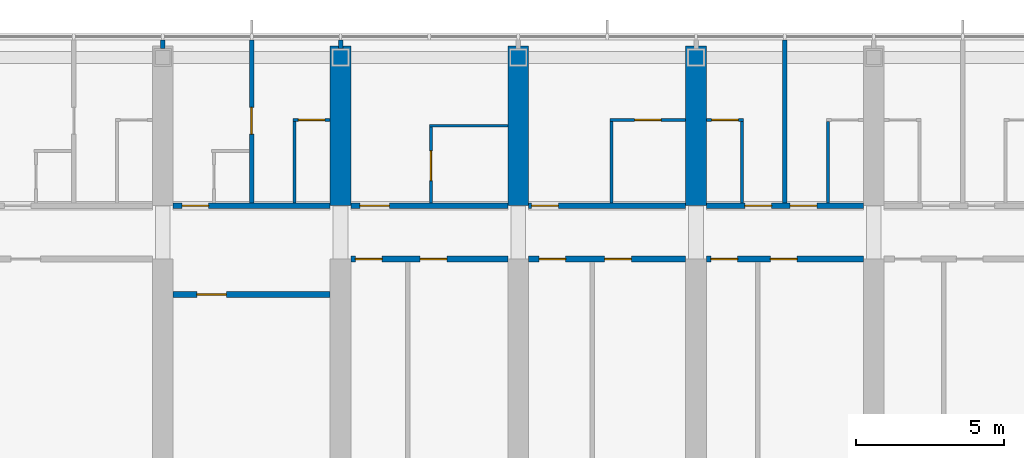
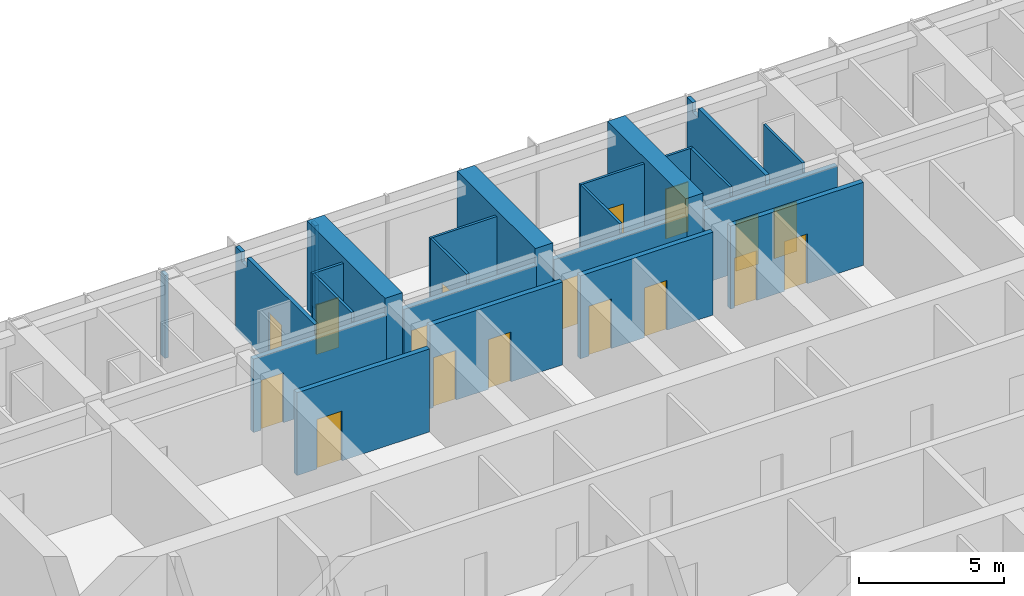
# One storey, part 17 of 24: 24 walls, 17 doors, 17 openings.
"""IFC4 building model written with IfcOpenShell, lengths in metres."""

from ifc_helpers import new_model, si_unit, direction, frame, frame_2d, origin, place, context, subcontext, project, spatial, polyline, rectangle, outline, extrude, material, layer, layer_set, type_object, element, fill, save


model = new_model("IFC4")

# Units and contexts
model_context = context("Model", 3, precision=1e-05, world=origin(), true_north=direction((0.0, 1.0)))
body_context = subcontext(model_context, "Body", "Model", "MODEL_VIEW")
ifc_project = project(units=[si_unit("LENGTHUNIT", "METRE"), si_unit("AREAUNIT", "SQUARE_METRE"), si_unit("VOLUMEUNIT", "CUBIC_METRE"), si_unit("PLANEANGLEUNIT", "RADIAN"), si_unit("MASSUNIT", "GRAM", prefix="KILO")], contexts=[model_context])

# Site, building, storey
site_placement = place(None, origin())
site = spatial("IfcSite", under=ifc_project, at=site_placement, CompositionType="ELEMENT")
building_placement = place(site_placement, origin())
building = spatial("IfcBuilding", under=site, at=building_placement, Name="Orbita Commons", CompositionType="ELEMENT")
storey_placement = place(building_placement, frame((0.0, 0.0, 235.300048828125)))
storey = spatial("IfcBuildingStorey", under=building, at=storey_placement, Name="L58", CompositionType="ELEMENT", Elevation=235.300048828125)

# Wall, opening, door
ifc_material_1 = material(Name="Concrete blockwork", Category="masonry")
ifc_layer_1 = layer(ifc_material_1, 0.199951171875)
ifc_layer_set_1 = layer_set([ifc_layer_1], Name="Concrete blockwork")
wall_type_1 = type_object("IfcWallType", Name="Corridor wall 200 blockwork", PredefinedType="SOLIDWALL", material=ifc_layer_set_1)
wall_1_placement = place(storey_placement, frame((30.35009765625, 47.39990234375, 0.0), z_axis=(0.0, 0.0, 1.0), x_axis=(1.0, 0.0, 0.0)))
wall_1 = element("IfcWall", 1, at=wall_1_placement, inside=storey, type_object=wall_type_1, Name="Corridor wall 200 blockwork L58", PredefinedType="SOLIDWALL", context=body_context, shape_type="SweptSolid", body=[
    extrude(outline(polyline([(0.0, 0.0), (5.2998046875, 0.0), (5.300048828125, 3.099853515625), (0.0, 3.099853515625), (0.0, 0.0)])), frame((0.0, 0.10009765625, 0.0), z_axis=(0.0, -1.0, 0.0), x_axis=(1.0, 0.0, 0.0)), (0.0, 0.0, 1.0), 0.199951171875),
])
opening_1_placement = place(wall_1_placement, frame((0.300048828125, 0.0, 0.0)))
opening_1 = element("IfcOpeningElement", 2, at=opening_1_placement, cuts=wall_1, Name="Opening D11", PredefinedType="OPENING", context=body_context, shape_type="SweptSolid", body=[
    extrude(rectangle(XDim=0.89990234375, YDim=2.10009765625, at=frame_2d((0.449951171875, 1.050048828125))), frame((0.0, 0.10986328125, 0.0), z_axis=(0.0, -1.0, 0.0), x_axis=(1.0, 0.0, 0.0)), (0.0, 0.0, 1.0), 0.219970703125),
])
ifc_material_2 = material(Name="Steel-faced fire door leaf", Category="steel")
door_type_1 = type_object("IfcDoorType", Name="Corridor door 20 min 900x2100", OperationType="SINGLE_SWING_LEFT", PredefinedType="DOOR", material=ifc_material_2)
door_1_placement = place(opening_1_placement, origin())
door_1 = element("IfcDoor", 3, at=door_1_placement, inside=storey, type_object=door_type_1, Name="Guest suite sitting room and kitchenette L58-N04 entrance door", OperationType="SINGLE_SWING_LEFT", OverallHeight=2.10009765625, OverallWidth=0.89990234375, PredefinedType="DOOR", context=body_context, shape_type="SweptSolid", body=[
    extrude(rectangle(XDim=0.89990234375, YDim=2.10009765625, at=frame_2d((0.449951171875, 1.050048828125))), frame((0.0, 0.02490234375, 0.0), z_axis=(0.0, -1.0, 0.0), x_axis=(1.0, 0.0, 0.0)), (0.0, 0.0, 1.0), 0.050048828125),
])
fill(opening_1, door_1)

wall_2_placement = place(storey_placement, frame((36.35009765625, 47.39990234375, 0.0), z_axis=(0.0, 0.0, 1.0), x_axis=(1.0, 0.0, 0.0)))
wall_2 = element("IfcWall", 4, at=wall_2_placement, inside=storey, type_object=wall_type_1, Name="Corridor wall 200 blockwork L58", PredefinedType="SOLIDWALL", context=body_context, shape_type="SweptSolid", body=[
    extrude(outline(polyline([(0.0, 0.0), (5.2998046875, 0.0), (5.300048828125, 3.099853515625), (0.0, 3.099853515625), (0.0, 0.0)])), frame((0.0, 0.10009765625, 0.0), z_axis=(0.0, -1.0, 0.0), x_axis=(1.0, 0.0, 0.0)), (0.0, 0.0, 1.0), 0.199951171875),
])
opening_2_placement = place(wall_2_placement, frame((0.300048828125, 0.0, 0.0)))
opening_2 = element("IfcOpeningElement", 5, at=opening_2_placement, cuts=wall_2, Name="Opening D06", PredefinedType="OPENING", context=body_context, shape_type="SweptSolid", body=[
    extrude(rectangle(XDim=1.0, YDim=2.10009765625, at=frame_2d((0.5, 1.050048828125))), frame((0.0, 0.10986328125, 0.0), z_axis=(0.0, -1.0, 0.0), x_axis=(1.0, 0.0, 0.0)), (0.0, 0.0, 1.0), 0.219970703125),
])
ifc_material_3 = material(Name="Steel-faced fire door leaf", Category="steel")
door_type_2 = type_object("IfcDoorType", Name="Corridor door 20 min 1000x2100", OperationType="SINGLE_SWING_LEFT", PredefinedType="DOOR", material=ifc_material_3)
door_2_placement = place(opening_2_placement, origin())
door_2 = element("IfcDoor", 6, at=door_2_placement, inside=storey, type_object=door_type_2, Name="Accessible bedroom L58-N06 door", OperationType="SINGLE_SWING_LEFT", OverallHeight=2.10009765625, OverallWidth=1.0, PredefinedType="DOOR", context=body_context, shape_type="SweptSolid", body=[
    extrude(rectangle(XDim=1.0, YDim=2.10009765625, at=frame_2d((0.5, 1.050048828125))), frame((0.0, 0.02490234375, 0.0), z_axis=(0.0, -1.0, 0.0), x_axis=(1.0, 0.0, 0.0)), (0.0, 0.0, 1.0), 0.050048828125),
])
fill(opening_2, door_2)

wall_3_placement = place(storey_placement, frame((42.35009765625, 47.39990234375, 0.0), z_axis=(0.0, 0.0, 1.0), x_axis=(1.0, 0.0, 0.0)))
wall_3 = element("IfcWall", 7, at=wall_3_placement, inside=storey, type_object=wall_type_1, Name="Corridor wall 200 blockwork L58", PredefinedType="SOLIDWALL", context=body_context, shape_type="SweptSolid", body=[
    extrude(outline(polyline([(0.0, 0.0), (5.2998046875, 0.0), (5.300048828125, 3.099853515625), (0.0, 3.099853515625), (0.0, 0.0)])), frame((0.0, 0.10009765625, 0.0), z_axis=(0.0, -1.0, 0.0), x_axis=(1.0, 0.0, 0.0)), (0.0, 0.0, 1.0), 0.199951171875),
])
opening_3_placement = place(wall_3_placement, frame((0.10009765625, 0.0, 0.0)))
opening_3 = element("IfcOpeningElement", 8, at=opening_3_placement, cuts=wall_3, Name="Opening D11", PredefinedType="OPENING", context=body_context, shape_type="SweptSolid", body=[
    extrude(rectangle(XDim=0.89990234375, YDim=2.10009765625, at=frame_2d((0.449951171875, 1.050048828125))), frame((0.0, 0.10986328125, 0.0), z_axis=(0.0, -1.0, 0.0), x_axis=(1.0, 0.0, 0.0)), (0.0, 0.0, 1.0), 0.219970703125),
])
door_3_placement = place(opening_3_placement, origin())
door_3 = element("IfcDoor", 9, at=door_3_placement, inside=storey, type_object=door_type_1, Name="Studio apartment with kitchenette L58-N08 door", OperationType="SINGLE_SWING_LEFT", OverallHeight=2.10009765625, OverallWidth=0.89990234375, PredefinedType="DOOR", context=body_context, shape_type="SweptSolid", body=[
    extrude(rectangle(XDim=0.89990234375, YDim=2.10009765625, at=frame_2d((0.449951171875, 1.050048828125))), frame((0.0, 0.02490234375, 0.0), z_axis=(0.0, -1.0, 0.0), x_axis=(1.0, 0.0, 0.0)), (0.0, 0.0, 1.0), 0.050048828125),
])
fill(opening_3, door_3)

# Wall, openings, doors
wall_4_placement = place(storey_placement, frame((48.35009765625, 47.39990234375, 0.0), z_axis=(0.0, 0.0, 1.0), x_axis=(1.0, 0.0, 0.0)))
wall_4 = element("IfcWall", 10, at=wall_4_placement, inside=storey, type_object=wall_type_1, Name="Corridor wall 200 blockwork L58", PredefinedType="SOLIDWALL", context=body_context, shape_type="SweptSolid", body=[
    extrude(outline(polyline([(0.0, 0.0), (5.2998046875, 0.0), (5.300048828125, 3.099853515625), (0.0, 3.099853515625), (0.0, 0.0)])), frame((0.0, 0.10009765625, 0.0), z_axis=(0.0, -1.0, 0.0), x_axis=(1.0, 0.0, 0.0)), (0.0, 0.0, 1.0), 0.199951171875),
])
opening_4_placement = place(wall_4_placement, frame((1.300048828125, 0.0, 0.0)))
opening_4 = element("IfcOpeningElement", 11, at=opening_4_placement, cuts=wall_4, Name="Opening D11", PredefinedType="OPENING", context=body_context, shape_type="SweptSolid", body=[
    extrude(rectangle(XDim=0.89990234375, YDim=2.10009765625, at=frame_2d((0.449951171875, 1.050048828125))), frame((0.0, 0.10986328125, 0.0), z_axis=(0.0, -1.0, 0.0), x_axis=(1.0, 0.0, 0.0)), (0.0, 0.0, 1.0), 0.219970703125),
])
opening_5_placement = place(wall_4_placement, frame((2.824951171875, 0.0, 0.0)))
opening_5 = element("IfcOpeningElement", 12, at=opening_5_placement, cuts=wall_4, Name="Opening D11", PredefinedType="OPENING", context=body_context, shape_type="SweptSolid", body=[
    extrude(rectangle(XDim=0.89990234375, YDim=2.10009765625, at=frame_2d((0.449951171875, 1.050048828125))), frame((0.0, 0.10986328125, 0.0), z_axis=(0.0, -1.0, 0.0), x_axis=(1.0, 0.0, 0.0)), (0.0, 0.0, 1.0), 0.219970703125),
])
door_4_placement = place(opening_4_placement, origin())
door_4 = element("IfcDoor", 13, at=door_4_placement, inside=storey, type_object=door_type_1, Name="Cluster bedroom L58-N10 door", OperationType="SINGLE_SWING_LEFT", OverallHeight=2.10009765625, OverallWidth=0.89990234375, PredefinedType="DOOR", context=body_context, shape_type="SweptSolid", body=[
    extrude(rectangle(XDim=0.89990234375, YDim=2.10009765625, at=frame_2d((0.449951171875, 1.050048828125))), frame((0.0, 0.02490234375, 0.0), z_axis=(0.0, -1.0, 0.0), x_axis=(1.0, 0.0, 0.0)), (0.0, 0.0, 1.0), 0.050048828125),
])
fill(opening_4, door_4)
door_5_placement = place(opening_5_placement, origin())
door_5 = element("IfcDoor", 14, at=door_5_placement, inside=storey, type_object=door_type_1, Name="Cluster bedroom L58-N11 door", OperationType="SINGLE_SWING_LEFT", OverallHeight=2.10009765625, OverallWidth=0.89990234375, PredefinedType="DOOR", context=body_context, shape_type="SweptSolid", body=[
    extrude(rectangle(XDim=0.89990234375, YDim=2.10009765625, at=frame_2d((0.449951171875, 1.050048828125))), frame((0.0, 0.02490234375, 0.0), z_axis=(0.0, -1.0, 0.0), x_axis=(1.0, 0.0, 0.0)), (0.0, 0.0, 1.0), 0.050048828125),
])
fill(opening_5, door_5)

ifc_material_4 = material(Name="Hollow concrete block 200", Category="concrete")
ifc_layer_2 = layer(ifc_material_4, 0.199951171875)
ifc_layer_set_2 = layer_set([ifc_layer_2], Name="Hollow concrete block 200")
wall_type_2 = type_object("IfcWallType", Name="Corridor wall 200 hollow concrete block", PredefinedType="SOLIDWALL", material=ifc_layer_set_2)
wall_5_placement = place(storey_placement, frame((36.35009765625, 45.60009765625, 0.0), z_axis=(0.0, 0.0, 1.0), x_axis=(1.0, 0.0, 0.0)))
wall_5 = element("IfcWall", 15, at=wall_5_placement, inside=storey, type_object=wall_type_2, Name="Corridor wall 200 hollow concrete block L58", PredefinedType="SOLIDWALL", context=body_context, shape_type="SweptSolid", body=[
    extrude(rectangle(XDim=5.2998046875, YDim=0.199951171875, at=frame_2d((2.64990234375, 0.0))), origin(), (0.0, 0.0, 1.0), 3.5),
])
opening_6_placement = place(wall_5_placement, frame((0.14990234375, 0.0, 0.0)))
opening_6 = element("IfcOpeningElement", 16, at=opening_6_placement, cuts=wall_5, Name="Opening D11", PredefinedType="OPENING", context=body_context, shape_type="SweptSolid", body=[
    extrude(rectangle(XDim=0.89990234375, YDim=2.10009765625, at=frame_2d((0.449951171875, 1.050048828125))), frame((0.0, 0.10986328125, 0.0), z_axis=(0.0, -1.0, 0.0), x_axis=(1.0, 0.0, 0.0)), (0.0, 0.0, 1.0), 0.219970703125),
])
opening_7_placement = place(wall_5_placement, frame((2.340087890625, 0.0, 0.0)))
opening_7 = element("IfcOpeningElement", 17, at=opening_7_placement, cuts=wall_5, Name="Opening D11", PredefinedType="OPENING", context=body_context, shape_type="SweptSolid", body=[
    extrude(rectangle(XDim=0.89990234375, YDim=2.10009765625, at=frame_2d((0.449951171875, 1.050048828125))), frame((0.0, 0.10986328125, 0.0), z_axis=(0.0, -1.0, 0.0), x_axis=(1.0, 0.0, 0.0)), (0.0, 0.0, 1.0), 0.219970703125),
])
door_6_placement = place(opening_6_placement, origin())
door_6 = element("IfcDoor", 18, at=door_6_placement, inside=storey, type_object=door_type_1, Name="Equipment store L58-BDN36n door", OperationType="SINGLE_SWING_LEFT", OverallHeight=2.10009765625, OverallWidth=0.89990234375, PredefinedType="DOOR", context=body_context, shape_type="SweptSolid", body=[
    extrude(rectangle(XDim=0.89990234375, YDim=2.10009765625, at=frame_2d((0.449951171875, 1.050048828125))), frame((0.0, 0.02490234375, 0.0), z_axis=(0.0, -1.0, 0.0), x_axis=(1.0, 0.0, 0.0)), (0.0, 0.0, 1.0), 0.050048828125),
])
fill(opening_6, door_6)
door_7_placement = place(opening_7_placement, origin())
door_7 = element("IfcDoor", 19, at=door_7_placement, inside=storey, type_object=door_type_1, Name="IT and print room L58-BDN36 door", OperationType="SINGLE_SWING_LEFT", OverallHeight=2.10009765625, OverallWidth=0.89990234375, PredefinedType="DOOR", context=body_context, shape_type="SweptSolid", body=[
    extrude(rectangle(XDim=0.89990234375, YDim=2.10009765625, at=frame_2d((0.449951171875, 1.050048828125))), frame((0.0, 0.02490234375, 0.0), z_axis=(0.0, -1.0, 0.0), x_axis=(1.0, 0.0, 0.0)), (0.0, 0.0, 1.0), 0.050048828125),
])
fill(opening_7, door_7)

wall_6_placement = place(storey_placement, frame((42.35009765625, 45.60009765625, 0.0), z_axis=(0.0, 0.0, 1.0), x_axis=(1.0, 0.0, 0.0)))
wall_6 = element("IfcWall", 20, at=wall_6_placement, inside=storey, type_object=wall_type_2, Name="Corridor wall 200 hollow concrete block L58", PredefinedType="SOLIDWALL", context=body_context, shape_type="SweptSolid", body=[
    extrude(rectangle(XDim=5.2998046875, YDim=0.199951171875, at=frame_2d((2.64990234375, 0.0))), origin(), (0.0, 0.0, 1.0), 3.5),
])
opening_8_placement = place(wall_6_placement, frame((0.35009765625, 0.0, 0.0)))
opening_8 = element("IfcOpeningElement", 21, at=opening_8_placement, cuts=wall_6, Name="Opening D11", PredefinedType="OPENING", context=body_context, shape_type="SweptSolid", body=[
    extrude(rectangle(XDim=0.89990234375, YDim=2.10009765625, at=frame_2d((0.449951171875, 1.050048828125))), frame((0.0, 0.10986328125, 0.0), z_axis=(0.0, -1.0, 0.0), x_axis=(1.0, 0.0, 0.0)), (0.0, 0.0, 1.0), 0.219970703125),
])
opening_9_placement = place(wall_6_placement, frame((2.56494140625, 0.0, 0.0)))
opening_9 = element("IfcOpeningElement", 22, at=opening_9_placement, cuts=wall_6, Name="Opening D11", PredefinedType="OPENING", context=body_context, shape_type="SweptSolid", body=[
    extrude(rectangle(XDim=0.89990234375, YDim=2.10009765625, at=frame_2d((0.449951171875, 1.050048828125))), frame((0.0, 0.10986328125, 0.0), z_axis=(0.0, -1.0, 0.0), x_axis=(1.0, 0.0, 0.0)), (0.0, 0.0, 1.0), 0.219970703125),
])
door_8_placement = place(opening_8_placement, origin())
door_8 = element("IfcDoor", 23, at=door_8_placement, inside=storey, type_object=door_type_1, Name="Luggage store L58-BDN42n door", OperationType="SINGLE_SWING_LEFT", OverallHeight=2.10009765625, OverallWidth=0.89990234375, PredefinedType="DOOR", context=body_context, shape_type="SweptSolid", body=[
    extrude(rectangle(XDim=0.89990234375, YDim=2.10009765625, at=frame_2d((0.449951171875, 1.050048828125))), frame((0.0, 0.02490234375, 0.0), z_axis=(0.0, -1.0, 0.0), x_axis=(1.0, 0.0, 0.0)), (0.0, 0.0, 1.0), 0.050048828125),
])
fill(opening_8, door_8)
door_9_placement = place(opening_9_placement, origin())
door_9 = element("IfcDoor", 24, at=door_9_placement, inside=storey, type_object=door_type_1, Name="Ventilation plant room south L58-BDN42 door", OperationType="SINGLE_SWING_LEFT", OverallHeight=2.10009765625, OverallWidth=0.89990234375, PredefinedType="DOOR", context=body_context, shape_type="SweptSolid", body=[
    extrude(rectangle(XDim=0.89990234375, YDim=2.10009765625, at=frame_2d((0.449951171875, 1.050048828125))), frame((0.0, 0.02490234375, 0.0), z_axis=(0.0, -1.0, 0.0), x_axis=(1.0, 0.0, 0.0)), (0.0, 0.0, 1.0), 0.050048828125),
])
fill(opening_9, door_9)

wall_7_placement = place(storey_placement, frame((48.35009765625, 45.60009765625, 0.0), z_axis=(0.0, 0.0, 1.0), x_axis=(1.0, 0.0, 0.0)))
wall_7 = element("IfcWall", 25, at=wall_7_placement, inside=storey, type_object=wall_type_2, Name="Corridor wall 200 hollow concrete block L58", PredefinedType="SOLIDWALL", context=body_context, shape_type="SweptSolid", body=[
    extrude(rectangle(XDim=5.2998046875, YDim=0.199951171875, at=frame_2d((2.64990234375, 0.0))), origin(), (0.0, 0.0, 1.0), 3.5),
])
opening_10_placement = place(wall_7_placement, frame((0.14990234375, 0.0, 0.0)))
opening_10 = element("IfcOpeningElement", 26, at=opening_10_placement, cuts=wall_7, Name="Opening D11", PredefinedType="OPENING", context=body_context, shape_type="SweptSolid", body=[
    extrude(rectangle(XDim=0.89990234375, YDim=2.10009765625, at=frame_2d((0.449951171875, 1.050048828125))), frame((0.0, 0.10986328125, 0.0), z_axis=(0.0, -1.0, 0.0), x_axis=(1.0, 0.0, 0.0)), (0.0, 0.0, 1.0), 0.219970703125),
])
opening_11_placement = place(wall_7_placement, frame((2.159912109375, 0.0, 0.0)))
opening_11 = element("IfcOpeningElement", 27, at=opening_11_placement, cuts=wall_7, Name="Opening D11", PredefinedType="OPENING", context=body_context, shape_type="SweptSolid", body=[
    extrude(rectangle(XDim=0.89990234375, YDim=2.10009765625, at=frame_2d((0.449951171875, 1.050048828125))), frame((0.0, 0.10986328125, 0.0), z_axis=(0.0, -1.0, 0.0), x_axis=(1.0, 0.0, 0.0)), (0.0, 0.0, 1.0), 0.219970703125),
])
door_10_placement = place(opening_10_placement, origin())
door_10 = element("IfcDoor", 28, at=door_10_placement, inside=storey, type_object=door_type_1, Name="Battery and UPS room L58-BDN48n door", OperationType="SINGLE_SWING_LEFT", OverallHeight=2.10009765625, OverallWidth=0.89990234375, PredefinedType="DOOR", context=body_context, shape_type="SweptSolid", body=[
    extrude(rectangle(XDim=0.89990234375, YDim=2.10009765625, at=frame_2d((0.449951171875, 1.050048828125))), frame((0.0, 0.02490234375, 0.0), z_axis=(0.0, -1.0, 0.0), x_axis=(1.0, 0.0, 0.0)), (0.0, 0.0, 1.0), 0.050048828125),
])
fill(opening_10, door_10)
door_11_placement = place(opening_11_placement, origin())
door_11 = element("IfcDoor", 29, at=door_11_placement, inside=storey, type_object=door_type_1, Name="Faculty pantry L58-BDN48 door", OperationType="SINGLE_SWING_LEFT", OverallHeight=2.10009765625, OverallWidth=0.89990234375, PredefinedType="DOOR", context=body_context, shape_type="SweptSolid", body=[
    extrude(rectangle(XDim=0.89990234375, YDim=2.10009765625, at=frame_2d((0.449951171875, 1.050048828125))), frame((0.0, 0.02490234375, 0.0), z_axis=(0.0, -1.0, 0.0), x_axis=(1.0, 0.0, 0.0)), (0.0, 0.0, 1.0), 0.050048828125),
])
fill(opening_11, door_11)

# Wall, opening, door
wall_8_placement = place(storey_placement, frame((30.35009765625, 44.39990234375, 0.0), z_axis=(0.0, 0.0, 1.0), x_axis=(1.0, 0.0, 0.0)))
wall_8 = element("IfcWall", 30, at=wall_8_placement, inside=storey, type_object=wall_type_2, Name="Corridor wall 200 hollow concrete block L58", PredefinedType="SOLIDWALL", context=body_context, shape_type="SweptSolid", body=[
    extrude(rectangle(XDim=5.2998046875, YDim=0.199951171875, at=frame_2d((2.64990234375, 0.0))), origin(), (0.0, 0.0, 1.0), 3.5),
])
opening_12_placement = place(wall_8_placement, frame((0.800048828125, 0.0, 0.0)))
opening_12 = element("IfcOpeningElement", 31, at=opening_12_placement, cuts=wall_8, Name="Opening D06", PredefinedType="OPENING", context=body_context, shape_type="SweptSolid", body=[
    extrude(rectangle(XDim=1.0, YDim=2.10009765625, at=frame_2d((0.5, 1.050048828125))), frame((0.0, 0.10986328125, 0.0), z_axis=(0.0, -1.0, 0.0), x_axis=(1.0, 0.0, 0.0)), (0.0, 0.0, 1.0), 0.219970703125),
])
door_12_placement = place(opening_12_placement, origin())
door_12 = element("IfcDoor", 32, at=door_12_placement, inside=storey, type_object=door_type_2, Name="Electrical and data room L58-BDN30 door", OperationType="SINGLE_SWING_LEFT", OverallHeight=2.10009765625, OverallWidth=1.0, PredefinedType="DOOR", context=body_context, shape_type="SweptSolid", body=[
    extrude(rectangle(XDim=1.0, YDim=2.10009765625, at=frame_2d((0.5, 1.050048828125))), frame((0.0, 0.02490234375, 0.0), z_axis=(0.0, -1.0, 0.0), x_axis=(1.0, 0.0, 0.0)), (0.0, 0.0, 1.0), 0.050048828125),
])
fill(opening_12, door_12)

# Walls
ifc_material_5 = material(Name="Concrete C50/60", Category="concrete")
ifc_layer_3 = layer(ifc_material_5, 0.699951171875)
ifc_layer_set_3 = layer_set([ifc_layer_3], Name="Concrete C50/60")
wall_type_3 = type_object("IfcWallType", Name="Cross wall 700 C50/60", PredefinedType="SHEAR", material=ifc_layer_set_3)
for number, where, z_axis, x_axis, name in (
    (33, (36.0, 47.39990234375, 0.0), (0.0, 0.0, 1.0), (0.0, 1.0, 0.0), "Cross wall 7 north outer L58"),
    (34, (42.0, 47.39990234375, 0.0), (0.0, 0.0, 1.0), (0.0, 1.0, 0.0), "Cross wall 8 north outer L58"),
    (35, (48.0, 47.39990234375, 0.0), (0.0, 0.0, 1.0), (0.0, 1.0, 0.0), "Cross wall 9 north outer L58"),
):
    element("IfcWall", number, at=place(storey_placement, frame(where, z_axis=z_axis, x_axis=x_axis)), inside=storey, type_object=wall_type_3, Name=name, PredefinedType="SHEAR", context=body_context, shape_type="SweptSolid", body=[
        extrude(rectangle(XDim=5.400146484375, YDim=0.699951171875, at=frame_2d((2.7001953125, 0.0))), origin(), (0.0, 0.0, 1.0), 3.75),
    ])

# Wall, opening, door
ifc_material_6 = material(Name="Moisture-resistant plasterboard on steel studs", Category="steel")
ifc_layer_4 = layer(ifc_material_6, 0.10009765625)
ifc_layer_set_4 = layer_set([ifc_layer_4], Name="Moisture-resistant plasterboard on steel studs")
wall_type_4 = type_object("IfcWallType", Name="En-suite partition 100", PredefinedType="PARTITIONING", material=ifc_layer_set_4)
wall_9_placement = place(storey_placement, frame((34.39990234375, 50.300048828125, 0.0), z_axis=(0.0, 0.0, 1.0), x_axis=(1.0, 0.0, 0.0)))
wall_9 = element("IfcWall", 36, at=wall_9_placement, inside=storey, type_object=wall_type_4, Name="En-suite partition 100 L58", PredefinedType="PARTITIONING", context=body_context, shape_type="SweptSolid", body=[
    extrude(rectangle(XDim=1.25, YDim=0.10009765625, at=frame_2d((0.625, 0.0))), origin(), (0.0, 0.0, 1.0), 3.5),
])
opening_13_placement = place(wall_9_placement, frame((0.175048828125, 0.0, 0.0)))
opening_13 = element("IfcOpeningElement", 37, at=opening_13_placement, cuts=wall_9, Name="Opening D09", PredefinedType="OPENING", context=body_context, shape_type="SweptSolid", body=[
    extrude(rectangle(XDim=0.89990234375, YDim=2.10009765625, at=frame_2d((0.449951171875, 1.050048828125))), frame((0.0, 0.06005859375, 0.0), z_axis=(0.0, -1.0, 0.0), x_axis=(1.0, 0.0, 0.0)), (0.0, 0.0, 1.0), 0.1201171875),
])
ifc_material_7 = material(Name="Laminated timber door leaf", Category="wood")
door_type_3 = type_object("IfcDoorType", Name="En-suite door 900x2100", OperationType="SINGLE_SWING_RIGHT", PredefinedType="DOOR", material=ifc_material_7)
door_13_placement = place(opening_13_placement, origin())
door_13 = element("IfcDoor", 38, at=door_13_placement, inside=storey, type_object=door_type_3, Name="En-suite L58-N05 door", OperationType="SINGLE_SWING_RIGHT", OverallHeight=2.10009765625, OverallWidth=0.89990234375, PredefinedType="DOOR", context=body_context, shape_type="SweptSolid", body=[
    extrude(rectangle(XDim=0.89990234375, YDim=2.10009765625, at=frame_2d((0.449951171875, 1.050048828125))), frame((0.0, 0.02490234375, 0.0), z_axis=(0.0, -1.0, 0.0), x_axis=(1.0, 0.0, 0.0)), (0.0, 0.0, 1.0), 0.050048828125),
])
fill(opening_13, door_13)

# Walls
wall_10_placement = place(storey_placement, frame((34.449951171875, 50.25, 0.0), z_axis=(0.0, 0.0, 1.0), x_axis=(0.0, -1.0, 0.0)))
element("IfcWall", 39, at=wall_10_placement, inside=storey, type_object=wall_type_4, Name="En-suite partition 100 L58", PredefinedType="PARTITIONING", context=body_context, shape_type="SweptSolid", body=[
    extrude(outline(polyline([(0.0, 0.0), (2.75, 0.0), (2.75, 3.099853515625), (2.701904296875, 3.099853515625), (2.699951171875, 3.5), (0.0, 3.5), (0.0, 0.0)])), frame((0.0, 0.050048828125, 0.0), z_axis=(0.0, -1.0, 0.0), x_axis=(1.0, 0.0, 0.0)), (0.0, 0.0, 1.0), 0.10009765625),
])
wall_11_placement = place(storey_placement, frame((39.0, 50.10009765625, 0.0), z_axis=(0.0, 0.0, 1.0), x_axis=(1.0, 0.0, 0.0)))
element("IfcWall", 40, at=wall_11_placement, inside=storey, type_object=wall_type_4, Name="En-suite partition 100 L58", PredefinedType="PARTITIONING", context=body_context, shape_type="SweptSolid", body=[
    extrude(rectangle(XDim=2.64990234375, YDim=0.10009765625, at=frame_2d((1.324951171875, 0.0))), origin(), (0.0, 0.0, 1.0), 3.5),
])

# Wall, opening, door
wall_12_placement = place(storey_placement, frame((39.050048828125, 50.050048828125, 0.0), z_axis=(0.0, 0.0, 1.0), x_axis=(0.0, -1.0, 0.0)))
wall_12 = element("IfcWall", 41, at=wall_12_placement, inside=storey, type_object=wall_type_4, Name="En-suite partition 100 L58", PredefinedType="PARTITIONING", context=body_context, shape_type="SweptSolid", body=[
    extrude(outline(polyline([(0.0, 0.0), (2.550048828125, 0.0), (2.550048828125, 3.099853515625), (2.501953125, 3.099853515625), (2.5, 3.5), (0.0, 3.5), (0.0, 0.0)])), frame((0.0, 0.050048828125, 0.0), z_axis=(0.0, -1.0, 0.0), x_axis=(1.0, 0.0, 0.0)), (0.0, 0.0, 1.0), 0.10009765625),
])
opening_14_placement = place(wall_12_placement, frame((0.800048828125, 0.0, 0.0)))
opening_14 = element("IfcOpeningElement", 42, at=opening_14_placement, cuts=wall_12, Name="Opening D13", PredefinedType="OPENING", context=body_context, shape_type="SweptSolid", body=[
    extrude(rectangle(XDim=1.0, YDim=2.10009765625, at=frame_2d((0.5, 1.050048828125))), frame((0.0, 0.06005859375, 0.0), z_axis=(0.0, -1.0, 0.0), x_axis=(1.0, 0.0, 0.0)), (0.0, 0.0, 1.0), 0.1201171875),
])
ifc_material_8 = material(Name="Laminated timber door leaf", Category="wood")
door_type_4 = type_object("IfcDoorType", Name="En-suite door 1000x2100", OperationType="SINGLE_SWING_RIGHT", PredefinedType="DOOR", material=ifc_material_8)
door_14_placement = place(opening_14_placement, origin())
door_14 = element("IfcDoor", 43, at=door_14_placement, inside=storey, type_object=door_type_4, Name="Accessible shower room L58-N06 door", OperationType="SINGLE_SWING_RIGHT", OverallHeight=2.10009765625, OverallWidth=1.0, PredefinedType="DOOR", context=body_context, shape_type="SweptSolid", body=[
    extrude(rectangle(XDim=1.0, YDim=2.10009765625, at=frame_2d((0.5, 1.050048828125))), frame((0.0, 0.02490234375, 0.0), z_axis=(0.0, -1.0, 0.0), x_axis=(1.0, 0.0, 0.0)), (0.0, 0.0, 1.0), 0.050048828125),
])
fill(opening_14, door_14)

wall_13_placement = place(storey_placement, frame((45.10009765625, 50.300048828125, 0.0), z_axis=(0.0, 0.0, 1.0), x_axis=(1.0, 0.0, 0.0)))
wall_13 = element("IfcWall", 44, at=wall_13_placement, inside=storey, type_object=wall_type_4, Name="En-suite partition 100 L58", PredefinedType="PARTITIONING", context=body_context, shape_type="SweptSolid", body=[
    extrude(rectangle(XDim=2.5498046875, YDim=0.10009765625, at=frame_2d((1.27490234375, 0.0))), origin(), (0.0, 0.0, 1.0), 3.5),
])
opening_15_placement = place(wall_13_placement, frame((0.824951171875, 0.0, 0.0)))
opening_15 = element("IfcOpeningElement", 45, at=opening_15_placement, cuts=wall_13, Name="Opening D09", PredefinedType="OPENING", context=body_context, shape_type="SweptSolid", body=[
    extrude(rectangle(XDim=0.89990234375, YDim=2.10009765625, at=frame_2d((0.449951171875, 1.050048828125))), frame((0.0, 0.06005859375, 0.0), z_axis=(0.0, -1.0, 0.0), x_axis=(1.0, 0.0, 0.0)), (0.0, 0.0, 1.0), 0.1201171875),
])
door_15_placement = place(opening_15_placement, origin())
door_15 = element("IfcDoor", 46, at=door_15_placement, inside=storey, type_object=door_type_3, Name="En-suite L58-N08 door", OperationType="SINGLE_SWING_RIGHT", OverallHeight=2.10009765625, OverallWidth=0.89990234375, PredefinedType="DOOR", context=body_context, shape_type="SweptSolid", body=[
    extrude(rectangle(XDim=0.89990234375, YDim=2.10009765625, at=frame_2d((0.449951171875, 1.050048828125))), frame((0.0, 0.02490234375, 0.0), z_axis=(0.0, -1.0, 0.0), x_axis=(1.0, 0.0, 0.0)), (0.0, 0.0, 1.0), 0.050048828125),
])
fill(opening_15, door_15)

# Wall
wall_14_placement = place(storey_placement, frame((45.14990234375, 50.25, 0.0), z_axis=(0.0, 0.0, 1.0), x_axis=(0.0, -1.0, 0.0)))
element("IfcWall", 47, at=wall_14_placement, inside=storey, type_object=wall_type_4, Name="En-suite partition 100 L58", PredefinedType="PARTITIONING", context=body_context, shape_type="SweptSolid", body=[
    extrude(outline(polyline([(0.0, 0.0), (2.75, 0.0), (2.75, 3.099853515625), (2.701904296875, 3.099853515625), (2.699951171875, 3.5), (0.0, 3.5), (0.0, 0.0)])), frame((0.0, 0.050048828125, 0.0), z_axis=(0.0, -1.0, 0.0), x_axis=(1.0, 0.0, 0.0)), (0.0, 0.0, 1.0), 0.10009765625),
])

# Wall, opening, door
wall_15_placement = place(storey_placement, frame((48.35009765625, 50.300048828125, 0.0), z_axis=(0.0, 0.0, 1.0), x_axis=(1.0, 0.0, 0.0)))
wall_15 = element("IfcWall", 48, at=wall_15_placement, inside=storey, type_object=wall_type_4, Name="En-suite partition 100 L58", PredefinedType="PARTITIONING", context=body_context, shape_type="SweptSolid", body=[
    extrude(rectangle(XDim=1.25, YDim=0.10009765625, at=frame_2d((0.625, 0.0))), origin(), (0.0, 0.0, 1.0), 3.5),
])
opening_16_placement = place(wall_15_placement, frame((0.175048828125, 0.0, 0.0)))
opening_16 = element("IfcOpeningElement", 49, at=opening_16_placement, cuts=wall_15, Name="Opening D09", PredefinedType="OPENING", context=body_context, shape_type="SweptSolid", body=[
    extrude(rectangle(XDim=0.89990234375, YDim=2.10009765625, at=frame_2d((0.449951171875, 1.050048828125))), frame((0.0, 0.06005859375, 0.0), z_axis=(0.0, -1.0, 0.0), x_axis=(1.0, 0.0, 0.0)), (0.0, 0.0, 1.0), 0.1201171875),
])
door_16_placement = place(opening_16_placement, origin())
door_16 = element("IfcDoor", 50, at=door_16_placement, inside=storey, type_object=door_type_3, Name="En-suite L58-N10 door", OperationType="SINGLE_SWING_RIGHT", OverallHeight=2.10009765625, OverallWidth=0.89990234375, PredefinedType="DOOR", context=body_context, shape_type="SweptSolid", body=[
    extrude(rectangle(XDim=0.89990234375, YDim=2.10009765625, at=frame_2d((0.449951171875, 1.050048828125))), frame((0.0, 0.02490234375, 0.0), z_axis=(0.0, -1.0, 0.0), x_axis=(1.0, 0.0, 0.0)), (0.0, 0.0, 1.0), 0.050048828125),
])
fill(opening_16, door_16)

# Walls
for number, where, z_axis, x_axis, name in (
    (51, (49.550048828125, 50.25, 0.0), (0.0, 0.0, 1.0), (0.0, -1.0, 0.0), "En-suite partition 100 L58"),
    (52, (52.449951171875, 50.25, 0.0), (0.0, 0.0, 1.0), (0.0, -1.0, 0.0), "En-suite partition 100 L58"),
):
    element("IfcWall", number, at=place(storey_placement, frame(where, z_axis=z_axis, x_axis=x_axis)), inside=storey, type_object=wall_type_4, Name=name, PredefinedType="PARTITIONING", context=body_context, shape_type="SweptSolid", body=[
        extrude(outline(polyline([(0.0, 0.0), (2.75, 0.0), (2.75, 3.099853515625), (2.701904296875, 3.099853515625), (2.699951171875, 3.5), (0.0, 3.5), (0.0, 0.0)])), frame((0.0, 0.050048828125, 0.0), z_axis=(0.0, -1.0, 0.0), x_axis=(1.0, 0.0, 0.0)), (0.0, 0.0, 1.0), 0.10009765625),
    ])

# Wall, opening, door
ifc_material_9 = material(Name="Gypsum plasterboard on steel studs", Category="steel")
ifc_layer_5 = layer(ifc_material_9, 0.14990234375)
ifc_layer_set_5 = layer_set([ifc_layer_5], Name="Gypsum plasterboard on steel studs")
wall_type_5 = type_object("IfcWallType", Name="Partition 150 plasterboard", PredefinedType="PARTITIONING", material=ifc_layer_set_5)
wall_16_placement = place(storey_placement, frame((33.0, 52.989990234375, 0.0), z_axis=(0.0, 0.0, 1.0), x_axis=(0.0, -1.0, 0.0)))
wall_16 = element("IfcWall", 53, at=wall_16_placement, inside=storey, type_object=wall_type_5, Name="Partition 150 plasterboard L58", PredefinedType="PARTITIONING", context=body_context, shape_type="SweptSolid", body=[
    extrude(outline(polyline([(0.0, 0.0), (5.489990234375, 0.0), (5.489990234375, 3.099853515625), (5.44189453125, 3.099853515625), (5.43994140625, 3.5), (0.7919921875, 3.5), (0.7900390625, 3.099853515625), (0.39208984375, 3.099853515625), (0.389892578125, 3.5), (0.0, 3.5), (0.0, 0.0)])), frame((0.0, 0.074951171875, 0.0), z_axis=(0.0, -1.0, 0.0), x_axis=(1.0, 0.0, 0.0)), (0.0, 0.0, 1.0), 0.14990234375),
])
opening_17_placement = place(wall_16_placement, frame((2.27001953125, 0.0, 0.0)))
opening_17 = element("IfcOpeningElement", 54, at=opening_17_placement, cuts=wall_16, Name="Opening D09", PredefinedType="OPENING", context=body_context, shape_type="SweptSolid", body=[
    extrude(rectangle(XDim=0.89990234375, YDim=2.10009765625, at=frame_2d((0.449951171875, 1.050048828125))), frame((0.0, 0.0849609375, 0.0), z_axis=(0.0, -1.0, 0.0), x_axis=(1.0, 0.0, 0.0)), (0.0, 0.0, 1.0), 0.169921875),
])
door_17_placement = place(opening_17_placement, origin())
door_17 = element("IfcDoor", 55, at=door_17_placement, inside=storey, type_object=door_type_3, Name="Guest suite bedroom L58-N04 door", OperationType="SINGLE_SWING_RIGHT", OverallHeight=2.10009765625, OverallWidth=0.89990234375, PredefinedType="DOOR", context=body_context, shape_type="SweptSolid", body=[
    extrude(rectangle(XDim=0.89990234375, YDim=2.10009765625, at=frame_2d((0.449951171875, 1.050048828125))), frame((0.0, 0.02490234375, 0.0), z_axis=(0.0, -1.0, 0.0), x_axis=(1.0, 0.0, 0.0)), (0.0, 0.0, 1.0), 0.050048828125),
])
fill(opening_17, door_17)

# Walls
for number, where, z_axis, x_axis, name in (
    (56, (30.0, 52.699951171875, 0.0), (0.0, 0.0, 1.0), (0.0, 1.0, 0.0), "Partition 150 plasterboard L58"),
    (57, (36.0, 52.699951171875, 0.0), (0.0, 0.0, 1.0), (0.0, 1.0, 0.0), "Partition 150 plasterboard L58"),
):
    element("IfcWall", number, at=place(storey_placement, frame(where, z_axis=z_axis, x_axis=x_axis)), inside=storey, type_object=wall_type_5, Name=name, PredefinedType="PARTITIONING", context=body_context, shape_type="SweptSolid", body=[
        extrude(rectangle(XDim=0.2900390625, YDim=0.14990234375, at=frame_2d((0.14501953125, 0.0))), origin(), (0.0, 0.0, 1.0), 3.5),
    ])
ifc_material_10 = material(Name="Gypsum plasterboard on steel studs", Category="steel")
ifc_layer_6 = layer(ifc_material_10, 0.14990234375)
ifc_layer_set_6 = layer_set([ifc_layer_6], Name="Gypsum plasterboard on steel studs")
wall_type_6 = type_object("IfcWallType", Name="Party wall 150 plasterboard", PredefinedType="PARTITIONING", material=ifc_layer_set_6)
wall_17_placement = place(storey_placement, frame((51.0, 52.989990234375, 0.0), z_axis=(0.0, 0.0, 1.0), x_axis=(0.0, -1.0, 0.0)))
element("IfcWall", 58, at=wall_17_placement, inside=storey, type_object=wall_type_6, Name="Party wall 150 plasterboard L58", PredefinedType="PARTITIONING", context=body_context, shape_type="SweptSolid", body=[
    extrude(outline(polyline([(0.0, 0.0), (5.489990234375, 0.0), (5.489990234375, 3.099853515625), (5.44189453125, 3.099853515625), (5.43994140625, 3.5), (0.7919921875, 3.5), (0.7900390625, 3.099853515625), (0.39208984375, 3.099853515625), (0.389892578125, 3.5), (0.0, 3.5), (0.0, 0.0)])), frame((0.0, 0.074951171875, 0.0), z_axis=(0.0, -1.0, 0.0), x_axis=(1.0, 0.0, 0.0)), (0.0, 0.0, 1.0), 0.14990234375),
])

save(model, "model.ifc")
